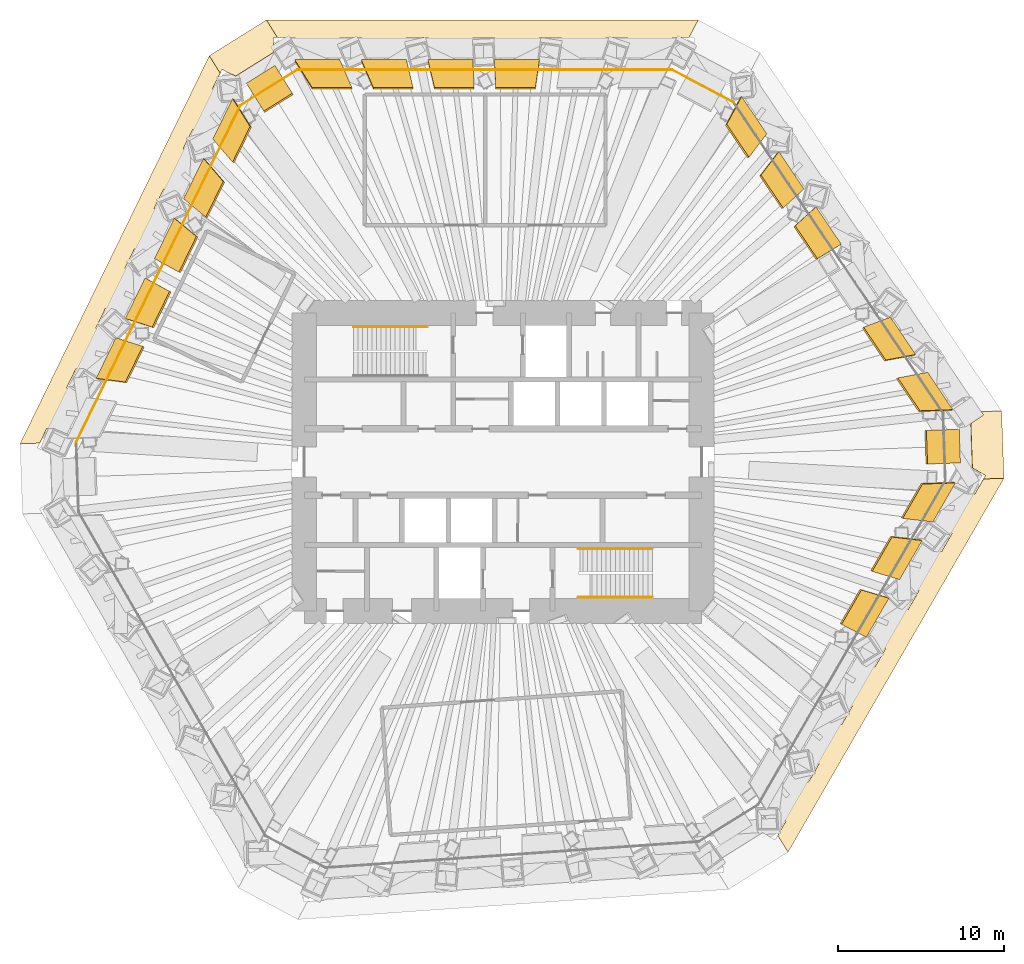
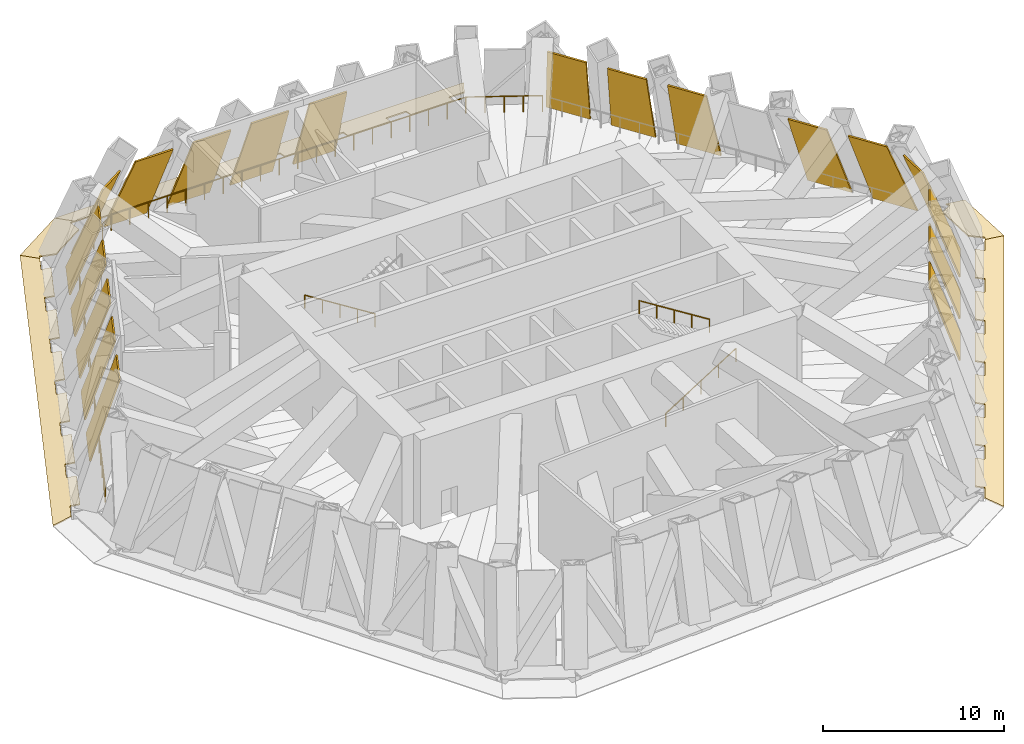
# One storey, part 10 of 12: 19 shading devices, 5 coverings, 5 railings.
"""IFC4 building model written with IfcOpenShell, lengths in metres."""

from ifc_helpers import new_model, si_unit, direction, frame, origin, origin_2d, place, context, subcontext, project, spatial, polyline, circle, outline, extrude, material, layer, layer_set, type_object, element, save


model = new_model("IFC4")

# Units and contexts
model_context = context("Model", 3, precision=1e-05, world=origin(), true_north=direction((0.0, 1.0)))
body_context = subcontext(model_context, "Body", "Model", "MODEL_VIEW")
ifc_project = project(units=[si_unit("LENGTHUNIT", "METRE"), si_unit("AREAUNIT", "SQUARE_METRE"), si_unit("VOLUMEUNIT", "CUBIC_METRE"), si_unit("PLANEANGLEUNIT", "RADIAN"), si_unit("MASSUNIT", "GRAM", prefix="KILO")], contexts=[model_context])

# Site, building, storey
site_placement = place(None, origin())
site = spatial("IfcSite", under=ifc_project, at=site_placement, CompositionType="ELEMENT")
building_placement = place(site_placement, origin())
building = spatial("IfcBuilding", under=site, at=building_placement, Name="Qingtian Harvest Tower", CompositionType="ELEMENT")
storey_placement = place(building_placement, frame((0.0, 0.0, 174.39990234375)))
storey = spatial("IfcBuildingStorey", under=building, at=storey_placement, Name="L37", CompositionType="ELEMENT", Elevation=174.39990234375)

# Coverings
ifc_material_1 = material(Name="Bronze-finished aluminium plate", Category="aluminium")
ifc_layer_1 = layer(ifc_material_1, 0.080078125)
ifc_layer_set_1 = layer_set([ifc_layer_1], Name="Bronze eave band EB1")
covering_type = type_object("IfcCoveringType", Name="Bronze eave band EB1", PredefinedType="CLADDING", material=ifc_layer_set_1)
covering_1_placement = place(storey_placement, frame((-12.57177734375, 25.10009765625, -0.02001953125), z_axis=(0.0, 0.184189733854, 0.982890707018), x_axis=(0.0, 0.982890707018, -0.184189733854)))
element("IfcCovering", 1, at=covering_1_placement, inside=storey, type_object=covering_type, Name="Eave band EB1 L37 1", PredefinedType="CLADDING", context=body_context, shape_type="SweptSolid", body=[
    extrude(outline(polyline([(0.0, 0.0), (0.5593744970438081, 0.0), (0.5593744970438081, 1.05615234375), (1.627702098697061, 1.712158203125), (1.627702098697061, -24.368408203125), (0.5593744970438081, -23.81005859375), (0.5593744970438081, -22.814453125), (0.0, -22.814453125), (0.0, -20.095458984375), (0.5593744970438081, -20.095458984375), (0.5593744970438081, -18.79541015625), (0.0, -18.79541015625), (0.0, -16.076416015625), (0.5593744970438081, -16.076416015625), (0.5593744970438081, -14.7763671875), (0.0, -14.7763671875), (0.0, -12.057373046875), (0.5593744970438081, -12.057373046875), (0.5593744970438081, -10.75732421875), (0.0, -10.75732421875), (0.0, -8.0380859375), (0.5593744970438081, -8.0380859375), (0.5593744970438081, -6.73828125), (0.0, -6.73828125), (0.0, -4.01904296875), (0.5593744970438081, -4.01904296875), (0.5593744970438081, -2.71923828125), (0.0, -2.71923828125), (0.0, 0.0)])), origin(), (0.0, 0.0, -1.0), 0.080078125),
])
covering_2_placement = place(storey_placement, frame((28.261474609375, 2.330322265625, -0.02001953125), z_axis=(0.156849625053, 0.00547878834, 0.987607299487), x_axis=(0.821657910687, 0.554110012926, -0.133567853093)))
element("IfcCovering", 2, at=covering_2_placement, inside=storey, type_object=covering_type, Name="Eave band EB1 L37 4", PredefinedType="CLADDING", context=body_context, shape_type="SweptSolid", body=[
    extrude(outline(polyline([(0.0, 0.0), (0.9252585680396471, 5.204170427930421e-18), (0.9225970145435107, 0.24461442693298963), (1.9894660216830409, -0.41364242815472324), (-0.1479681192771758, -3.8779066179800243), (-1.214837126416706, -3.2196497628923115), (-0.9949806424630768, -3.1123045338881545), (-1.409975738374845, -2.285264294284164), (0.0, 0.0)])), origin(), (0.0, 0.0, -1.0), 0.080078125),
])
covering_3_placement = place(storey_placement, frame((28.023193359375, -1.66259765625, -0.02001953125), z_axis=(0.159502777249, -0.09208767128, 0.982893038356), x_axis=(0.851287866321, -0.491312216678, -0.18417729067)))
element("IfcCovering", 3, at=covering_3_placement, inside=storey, type_object=covering_type, Name="Eave band EB1 L37 5", PredefinedType="CLADDING", context=body_context, shape_type="SweptSolid", body=[
    extrude(outline(polyline([(0.0, 0.0), (0.5595222167561885, 3.930910501617757e-17), (0.5597370827663396, 1.0560622749174726), (1.6280504471319173, 1.7119724218077528), (1.624002500334832, -24.368587372852396), (0.5558307116754796, -23.810059675644755), (0.5560632610747688, -22.814591999373082), (-0.0035789049530698946, -22.814380548761065), (-0.0032701867356124126, -20.09543158455042), (0.556252030020575, -20.09543158455042), (0.5566277519228836, -18.795445509826358), (-0.0028944648333046885, -18.795445509826358), (-0.0027056958874975834, -16.076285095003694), (0.5569364701403402, -16.076496545615708), (0.5571922427709984, -14.776299020279634), (-0.0023299739851907475, -14.776299020279636), (-0.0020212557677323773, -12.057350056068985), (0.5575009609884559, -12.057350056068985), (0.5578766828907628, -10.757363981344925), (-0.0017654831370750301, -10.757152530732911), (-0.0014567649196179921, -8.038203566522261), (0.5581854011082202, -8.038415017134277), (0.5584411737388776, -6.738217491798202), (-0.0010810430173107122, -6.738217491798202), (-0.000684440119764762, -4.018935038934709), (0.5589577259080737, -4.019146489546724), (0.5590056645869924, -2.7190710022514777), (-0.000516552169196105, -2.7190710022514777), (0.0, 0.0)])), origin(), (0.0, 0.0, -1.0), 0.080078125),
])
covering_4_placement = place(storey_placement, frame((-27.0498046875, 1.797119140625, -0.02001953125), z_axis=(-0.165535589656, 0.080737029795, 0.982893432971), x_axis=(-0.883531938188, 0.430640008633, -0.184175180649)))
element("IfcCovering", 4, at=covering_4_placement, inside=storey, type_object=covering_type, Name="Eave band EB1 L37 11", PredefinedType="CLADDING", context=body_context, shape_type="SweptSolid", body=[
    extrude(outline(polyline([(0.0, 0.0), (0.5595497533165212, 3.747273758653025e-18), (0.55990607017175, 0.9955780149466659), (1.6283313312147991, 1.5535994282463865), (1.6215197500586525, -24.527120180300926), (0.5534830824209858, -23.870640761816826), (0.5536901628013793, -22.814570724824677), (-0.005964727235999945, -22.814351265526092), (-0.005090711671438264, -20.095236480345623), (0.5542433356054863, -20.0953434488499), (0.5548377287594246, -18.795459247652985), (-0.004817161277954618, -18.795239788354404), (-0.0041588517529893565, -16.076231971678208), (0.5553909015635325, -16.076231971678208), (0.5557695886778735, -14.77645473898557), (-0.0038853013595048225, -14.77623527968699), (-0.0030112857949431415, -12.057120494506519), (0.5563227614819815, -12.057227463010793), (0.556812017915062, -10.757123802515299), (-0.0027377354014594957, -10.7571238025153), (-0.0020794258764946782, -8.038115985839104), (0.5574703274400268, -8.038115985839104), (0.5577438778335109, -6.738119293847885), (-0.0018058754830105883, -6.738119293847885), (-0.0009318599184489074, -4.019004508667415), (0.5584021873584757, -4.019111477171689), (0.5588914437915562, -2.719007816676196), (-0.0006583095249650395, -2.7190078166761964), (0.0, 0.0)])), origin(), (0.0, 0.0, -1.0), 0.080078125),
])
covering_5_placement = place(storey_placement, frame((-16.148681640625, 23.31005859375, -0.02001953125), z_axis=(-0.0831656087, 0.133099935106, 0.987607153075), x_axis=(-0.890752733033, 0.434421676779, -0.133556637192)))
element("IfcCovering", 5, at=covering_5_placement, inside=storey, type_object=covering_type, Name="Eave band EB1 L37 12", PredefinedType="CLADDING", context=body_context, shape_type="SweptSolid", body=[
    extrude(outline(polyline([(0.0, 0.0), (0.9255722996894495, -3.469446951953614e-18), (0.9228428743469406, 0.24477201006264057), (1.9896267793917832, -0.4137412028081305), (-0.14834395565500288, -3.8776960435734127), (-1.2151278606998455, -3.2191828307026413), (-0.9951374461918973, -3.111896848019039), (-1.4099976699225292, -2.2848378420917284), (0.0, 0.0)])), origin(), (0.0, 0.0, -1.0), 0.080078125),
])

# Shading devices
ifc_material_2 = material(Name="Bronze-finished aluminium lattice", Category="aluminium")
ifc_layer_2 = layer(ifc_material_2, 0.10009765625)
ifc_layer_set_2 = layer_set([ifc_layer_2], Name="Bronze lattice screen LS1")
shading_device_type = type_object("IfcShadingDeviceType", Name="Bronze lattice screen LS1", PredefinedType="USERDEFINED", material=ifc_layer_set_2)
shading_device_1_placement = place(storey_placement, frame((-12.57177734375, 24.300048828125, 0.0), z_axis=(0.0, 0.948683298051, 0.316227766017), x_axis=(1.0, 0.0, 0.0)))
element("IfcShadingDevice", 6, at=shading_device_1_placement, inside=storey, type_object=shading_device_type, Name="Lattice screen LS1 L37 N0", ObjectType="SCREEN", PredefinedType="USERDEFINED", context=body_context, shape_type="SweptSolid", body=[
    extrude(outline(polyline([(0.0, 0.0), (2.71923828125, 0.0), (3.446533203125, -5.32321886397973), (1.052001953125, -5.32321886397973), (0.0, 0.0)])), origin(), (0.0, 0.0, -1.0), 0.10009765625),
])
shading_device_2_placement = place(storey_placement, frame((-8.552734375, 24.300048828125, 0.0), z_axis=(0.0, 0.948683298051, 0.316227766017), x_axis=(1.0, 0.0, 0.0)))
element("IfcShadingDevice", 7, at=shading_device_2_placement, inside=storey, type_object=shading_device_type, Name="Lattice screen LS1 L37 N1", ObjectType="SCREEN", PredefinedType="USERDEFINED", context=body_context, shape_type="SweptSolid", body=[
    extrude(outline(polyline([(0.0, 0.0), (2.71923828125, 0.0), (3.1220703125, -5.32321886397973), (0.7275390625, -5.32321886397973), (0.0, 0.0)])), origin(), (0.0, 0.0, -1.0), 0.10009765625),
])
shading_device_3_placement = place(storey_placement, frame((-4.53369140625, 24.300048828125, 0.0), z_axis=(0.0, 0.948683298051, 0.316227766017), x_axis=(1.0, 0.0, 0.0)))
element("IfcShadingDevice", 8, at=shading_device_3_placement, inside=storey, type_object=shading_device_type, Name="Lattice screen LS1 L37 N2", ObjectType="SCREEN", PredefinedType="USERDEFINED", context=body_context, shape_type="SweptSolid", body=[
    extrude(outline(polyline([(0.0, 0.0), (2.71923828125, 0.0), (2.797607421875, -5.32321886397973), (0.403076171875, -5.32321886397973), (0.0, 0.0)])), origin(), (0.0, 0.0, -1.0), 0.10009765625),
])
shading_device_4_placement = place(storey_placement, frame((-0.514404296875, 24.300048828125, 0.0), z_axis=(0.0, 0.948683298051, 0.316227766017), x_axis=(1.0, 0.0, 0.0)))
element("IfcShadingDevice", 9, at=shading_device_4_placement, inside=storey, type_object=shading_device_type, Name="Lattice screen LS1 L37 N3", ObjectType="SCREEN", PredefinedType="USERDEFINED", context=body_context, shape_type="SweptSolid", body=[
    extrude(outline(polyline([(0.0, 0.0), (2.718994140625, 0.0), (2.472900390625, -5.32321886397973), (0.078369140625, -5.32321886397973), (0.0, 0.0)])), origin(), (0.0, 0.0, -1.0), 0.10009765625),
])
shading_device_5_placement = place(storey_placement, frame((14.41796875, 22.080078125, 0.0), z_axis=(0.786508356346, 0.530483264879, 0.316215292296), x_axis=(0.559175157854, -0.829049541843, 3.07825e-06)))
element("IfcShadingDevice", 10, at=shading_device_5_placement, inside=storey, type_object=shading_device_type, Name="Lattice screen LS1 L37 NE0", ObjectType="SCREEN", PredefinedType="USERDEFINED", context=body_context, shape_type="SweptSolid", body=[
    extrude(outline(polyline([(0.0, 0.0), (2.7192349493382766, 0.0), (3.289875671632588, -5.323184859106002), (0.8951230800570322, -5.323201452697157), (0.0, 0.0)])), origin(), (0.0, 0.0, -1.0), 0.10009765625),
])
shading_device_6_placement = place(storey_placement, frame((16.665283203125, 18.748046875, 0.0), z_axis=(0.786493102994, 0.530503525216, 0.31621924147), x_axis=(0.559199239002, -0.82903329914, -3.974963e-06)))
element("IfcShadingDevice", 11, at=shading_device_6_placement, inside=storey, type_object=shading_device_type, Name="Lattice screen LS1 L37 NE1", ObjectType="SCREEN", PredefinedType="USERDEFINED", context=body_context, shape_type="SweptSolid", body=[
    extrude(outline(polyline([(0.0, 0.0), (2.719032546745289, 1.1102230246251565e-16), (2.965308801169117, -5.323215344642769), (0.5705562097295356, -5.323193918055918), (0.0, 0.0)])), origin(), (0.0, 0.0, -1.0), 0.10009765625),
])
shading_device_7_placement = place(storey_placement, frame((18.912841796875, 15.416015625, 0.0), z_axis=(0.786475579762, 0.530522256724, 0.316231398754), x_axis=(0.559219159133, -0.829019862273, 4.034415e-06)))
element("IfcShadingDevice", 12, at=shading_device_7_placement, inside=storey, type_object=shading_device_type, Name="Lattice screen LS1 L37 NE2", ObjectType="SCREEN", PredefinedType="USERDEFINED", context=body_context, shape_type="SweptSolid", body=[
    extrude(outline(polyline([(0.0, 0.0), (2.719032546738832, 1.1102230246251565e-16), (2.6404875211855563, -5.323214429633785), (0.24593732880710176, -5.323236175925305), (0.0, 0.0)])), origin(), (0.0, 0.0, -1.0), 0.10009765625),
])
shading_device_8_placement = place(storey_placement, frame((23.40771484375, 8.752197265625, 0.0), z_axis=(0.786492682591, 0.530503241646, 0.316220762811), x_axis=(0.559195076801, -0.829036106547, 1.1086938e-05)))
element("IfcShadingDevice", 13, at=shading_device_8_placement, inside=storey, type_object=shading_device_type, Name="Lattice screen LS1 L37 NE4", ObjectType="SCREEN", PredefinedType="USERDEFINED", context=body_context, shape_type="SweptSolid", body=[
    extrude(outline(polyline([(0.0, 0.0), (2.7192349477958, -5.551115123125783e-17), (1.9918097241467894, -5.32318248827878), (-0.40274046593795637, -5.323242251193623), (0.0, 0.0)])), origin(), (0.0, 0.0, -1.0), 0.10009765625),
])
shading_device_9_placement = place(storey_placement, frame((25.655029296875, 5.420166015625, 0.0), z_axis=(0.78647945119, 0.530524868221, 0.316217388918), x_axis=(0.559219159232, -0.829019862206, 4.034257e-06)))
element("IfcShadingDevice", 14, at=shading_device_9_placement, inside=storey, type_object=shading_device_type, Name="Lattice screen LS1 L37 NE5", ObjectType="SCREEN", PredefinedType="USERDEFINED", context=body_context, shape_type="SweptSolid", body=[
    extrude(outline(polyline([(0.0, 0.0), (2.7190325467388297, 5.551115123125783e-17), (1.667242854528832, -5.32319236535592), (-0.7273073378496283, -5.323214110684026), (0.0, 0.0)])), origin(), (0.0, 0.0, -1.0), 0.10009765625),
])
shading_device_10_placement = place(storey_placement, frame((27.561767578125, 1.9775390625, 0.0), z_axis=(0.930127754655, 0.032478874034, 0.365797051332), x_axis=(0.034897454607, -0.999390898329, 0.0)))
element("IfcShadingDevice", 15, at=shading_device_10_placement, inside=storey, type_object=shading_device_type, Name="Lattice screen LS1 L37 NEC", ObjectType="SCREEN", PredefinedType="USERDEFINED", context=body_context, shape_type="SweptSolid", body=[
    extrude(outline(polyline([(0.0, 0.0), (2.0288236505016273, 0.0), (2.0288932785385847, -5.426107123120407), (6.962803695763459e-05, -5.426107123120407), (0.0, 0.0)])), origin(), (0.0, 0.0, -1.0), 0.10009765625),
])
shading_device_11_placement = place(storey_placement, frame((27.330322265625, -1.262451171875, 0.0), z_axis=(0.821581824793, -0.474334423983, 0.316243829022), x_axis=(-0.499994872797, -0.866028363956, -1.154776e-06)))
element("IfcShadingDevice", 16, at=shading_device_11_placement, inside=storey, type_object=shading_device_type, Name="Lattice screen LS1 L37 SE0", ObjectType="SCREEN", PredefinedType="USERDEFINED", context=body_context, shape_type="SweptSolid", body=[
    extrude(outline(polyline([(0.0, 0.0), (2.7192824817677987, -5.551115123125783e-17), (3.446510323439015, -5.3232531043167945), (1.0519742444267586, -5.323246879534377), (0.0, 0.0)])), origin(), (0.0, 0.0, -1.0), 0.10009765625),
])
shading_device_12_placement = place(storey_placement, frame((25.32080078125, -4.7431640625, 0.0), z_axis=(0.821579074912, -0.474358986248, 0.316214129716), x_axis=(-0.500017366429, -0.866015377025, 5.151667e-06)))
element("IfcShadingDevice", 17, at=shading_device_12_placement, inside=storey, type_object=shading_device_type, Name="Lattice screen LS1 L37 SE1", ObjectType="SCREEN", PredefinedType="USERDEFINED", context=body_context, shape_type="SweptSolid", body=[
    extrude(outline(polyline([(0.0, 0.0), (2.719071051036205, -5.551115123125783e-17), (3.1220509225291675, -5.32317640591581), (0.7275148440589956, -5.323204174373886), (0.0, 0.0)])), origin(), (0.0, 0.0, -1.0), 0.10009765625),
])
shading_device_13_placement = place(storey_placement, frame((23.311279296875, -8.223876953125, 0.0), z_axis=(0.821581377642, -0.474334165824, 0.316245377902), x_axis=(-0.499998761079, -0.866026118987, 1.2313904e-05)))
element("IfcShadingDevice", 18, at=shading_device_13_placement, inside=storey, type_object=shading_device_type, Name="Lattice screen LS1 L37 SE2", ObjectType="SCREEN", PredefinedType="USERDEFINED", context=body_context, shape_type="SweptSolid", body=[
    extrude(outline(polyline([(0.0, 0.0), (2.719071049335788, -5.551115123125783e-17), (2.7976380280894495, -5.323215493167245), (0.4028905170721877, -5.3232818709158005), (0.0, 0.0)])), origin(), (0.0, 0.0, -1.0), 0.10009765625),
])
shading_device_14_placement = place(storey_placement, frame((-24.56884765625, 5.05859375, 0.0), z_axis=(-0.852677641473, 0.415876240518, 0.316208463367), x_axis=(0.438367808532, 0.898795674458, -4.22826e-06)))
element("IfcShadingDevice", 19, at=shading_device_14_placement, inside=storey, type_object=shading_device_type, Name="Lattice screen LS1 L37 NW1", ObjectType="SCREEN", PredefinedType="USERDEFINED", context=body_context, shape_type="SweptSolid", body=[
    extrude(outline(polyline([(0.0, 0.0), (2.719007896137924, 0.0), (2.965195584645464, -5.32319597776943), (0.5704777519520834, -5.323173186163156), (0.0, 0.0)])), origin(), (0.0, 0.0, -1.0), 0.10009765625),
])
shading_device_15_placement = place(storey_placement, frame((-22.80712890625, 8.6708984375, 0.0), z_axis=(-0.852662433328, 0.41589091436, 0.316230172728), x_axis=(0.438384738531, 0.898787416975, -1.0507444e-05)))
element("IfcShadingDevice", 20, at=shading_device_15_placement, inside=storey, type_object=shading_device_type, Name="Lattice screen LS1 L37 NW2", ObjectType="SCREEN", PredefinedType="USERDEFINED", context=body_context, shape_type="SweptSolid", body=[
    extrude(outline(polyline([(0.0, 0.0), (2.7190078948800522, 0.0), (2.6406860875548483, -5.323252613599114), (0.24618768513335051, -5.323195977282977), (0.0, 0.0)])), origin(), (0.0, 0.0, -1.0), 0.10009765625),
])
shading_device_16_placement = place(storey_placement, frame((-21.045166015625, 12.283203125, 0.0), z_axis=(-0.852675570411, 0.4158752304, 0.316215376545), x_axis=(0.438367808476, 0.898795674485, -4.228342e-06)))
element("IfcShadingDevice", 21, at=shading_device_16_placement, inside=storey, type_object=shading_device_type, Name="Lattice screen LS1 L37 NW3", ObjectType="SCREEN", PredefinedType="USERDEFINED", context=body_context, shape_type="SweptSolid", body=[
    extrude(outline(polyline([(0.0, 0.0), (2.719007896137925, 0.0), (2.3162890013092134, -5.323206015315872), (-0.07842883138416358, -5.323183223211311), (0.0, 0.0)])), origin(), (0.0, 0.0, -1.0), 0.10009765625),
])
shading_device_17_placement = place(storey_placement, frame((-19.283447265625, 15.8955078125, 0.0), z_axis=(-0.852690897688, 0.41583741271, 0.316223780243), x_axis=(0.438329558918, 0.898814328863, -3.162141e-06)))
element("IfcShadingDevice", 22, at=shading_device_17_placement, inside=storey, type_object=shading_device_type, Name="Lattice screen LS1 L37 NW4", ObjectType="SCREEN", PredefinedType="USERDEFINED", context=body_context, shape_type="SweptSolid", body=[
    extrude(outline(polyline([(0.0, 0.0), (2.7192273322464136, 0.0), (1.991606232379115, -5.323218047516644), (-0.40278514523622433, -5.3232010028841374), (0.0, 0.0)])), origin(), (0.0, 0.0, -1.0), 0.10009765625),
])
shading_device_18_placement = place(storey_placement, frame((-17.521484375, 19.5078125, 0.0), z_axis=(-0.852705769809, 0.41582257782, 0.316203184533), x_axis=(0.438312630608, 0.898822584184, 3.115532e-06)))
element("IfcShadingDevice", 23, at=shading_device_18_placement, inside=storey, type_object=shading_device_type, Name="Lattice screen LS1 L37 NW5", ObjectType="SCREEN", PredefinedType="USERDEFINED", context=body_context, shape_type="SweptSolid", body=[
    extrude(outline(polyline([(0.0, 0.0), (2.719227332250375, 0.0), (1.6672091534162086, -5.3231674143003485), (-0.7274016622949249, -5.323184208303903), (0.0, 0.0)])), origin(), (0.0, 0.0, -1.0), 0.10009765625),
])
shading_device_19_placement = place(storey_placement, frame((-15.493408203125, 22.88037109375, 0.0), z_axis=(-0.493198340147, 0.78927414625, 0.365789173347), x_axis=(0.848042007764, 0.529929007288, -1.73712e-05)))
element("IfcShadingDevice", 24, at=shading_device_19_placement, inside=storey, type_object=shading_device_type, Name="Lattice screen LS1 L37 NWC", ObjectType="SCREEN", PredefinedType="USERDEFINED", context=body_context, shape_type="SweptSolid", body=[
    extrude(outline(polyline([(0.0, 0.0), (2.028798675979432, 0.0), (2.0285899701483583, -5.4261269352221735), (-7.932863202854414e-05, -5.426051203772579), (0.0, 0.0)])), origin(), (0.0, 0.0, -1.0), 0.10009765625),
])

# Railings
ifc_material_3 = material(Name="Stainless steel handrail", Category="steel")
railing_type_1 = type_object("IfcRailingType", Name="Handrail HR1", PredefinedType="HANDRAIL", material=ifc_material_3)
railing_1_placement = place(storey_placement, frame((-4.550048828125, 8.169921875, 0.176513671875)))
element("IfcRailing", 25, at=railing_1_placement, inside=storey, type_object=railing_type_1, Name="Handrail HR1 S1 flight 1", PredefinedType="HANDRAIL", context=body_context, shape_type="SweptSolid", body=[
    extrude(circle(Radius=0.02392578125, at=origin_2d()), frame((0.0, 0.0, 0.8759765625), z_axis=(-0.845997938375, 0.0, 0.533186166611), x_axis=(0.0, -1.0, 0.0)), (0.0, 0.0, 1.0), 5.29541015625),
    extrude(circle(Radius=0.02099609375, at=origin_2d()), origin(), (0.0, 0.0, 1.0), 0.851806640625),
    extrude(circle(Radius=0.02099609375, at=origin_2d()), frame((-1.1201171875, 0.0, 0.705810546875)), (0.0, 0.0, 1.0), 0.851806640625),
    extrude(circle(Radius=0.02099609375, at=origin_2d()), frame((-2.239990234375, 0.0, 1.41162109375)), (0.0, 0.0, 1.0), 0.851806640625),
    extrude(circle(Radius=0.02099609375, at=origin_2d()), frame((-3.35986328125, 0.0, 2.11767578125)), (0.0, 0.0, 1.0), 0.851806640625),
    extrude(circle(Radius=0.02099609375, at=origin_2d()), frame((-4.47998046875, 0.0, 2.823486328125)), (0.0, 0.0, 1.0), 0.851806640625),
])
railing_2_placement = place(storey_placement, frame((4.550048828125, -8.169921875, 0.176513671875)))
element("IfcRailing", 26, at=railing_2_placement, inside=storey, type_object=railing_type_1, Name="Handrail HR1 S2 flight 1", PredefinedType="HANDRAIL", context=body_context, shape_type="SweptSolid", body=[
    extrude(circle(Radius=0.02392578125, at=origin_2d()), frame((0.0, 0.0, 0.8759765625), z_axis=(0.845997938375, 0.0, 0.533186166611), x_axis=(0.0, 1.0, 0.0)), (0.0, 0.0, 1.0), 5.29541015625),
    extrude(circle(Radius=0.02099609375, at=origin_2d()), origin(), (0.0, 0.0, 1.0), 0.851806640625),
    extrude(circle(Radius=0.02099609375, at=origin_2d()), frame((1.1201171875, 0.0, 0.705810546875)), (0.0, 0.0, 1.0), 0.851806640625),
    extrude(circle(Radius=0.02099609375, at=origin_2d()), frame((2.239990234375, 0.0, 1.41162109375)), (0.0, 0.0, 1.0), 0.851806640625),
    extrude(circle(Radius=0.02099609375, at=origin_2d()), frame((3.35986328125, 0.0, 2.11767578125)), (0.0, 0.0, 1.0), 0.851806640625),
    extrude(circle(Radius=0.02099609375, at=origin_2d()), frame((4.47998046875, 0.0, 2.823486328125)), (0.0, 0.0, 1.0), 0.851806640625),
])
railing_3_placement = place(storey_placement, frame((9.030029296875, -5.22998046875, 3.176513671875)))
element("IfcRailing", 27, at=railing_3_placement, inside=storey, type_object=railing_type_1, Name="Handrail HR1 S2 flight 2", PredefinedType="HANDRAIL", context=body_context, shape_type="SweptSolid", body=[
    extrude(circle(Radius=0.02392578125, at=origin_2d()), frame((0.0, 0.0, 0.8759765625), z_axis=(-0.845997938375, 0.0, 0.533186166611), x_axis=(0.0, -1.0, 0.0)), (0.0, 0.0, 1.0), 5.29541015625),
    extrude(circle(Radius=0.02099609375, at=origin_2d()), origin(), (0.0, 0.0, 1.0), 0.851806640625),
    extrude(circle(Radius=0.02099609375, at=origin_2d()), frame((-1.1201171875, 0.0, 0.705810546875)), (0.0, 0.0, 1.0), 0.851806640625),
    extrude(circle(Radius=0.02099609375, at=origin_2d()), frame((-2.239990234375, 0.0, 1.41162109375)), (0.0, 0.0, 1.0), 0.851806640625),
    extrude(circle(Radius=0.02099609375, at=origin_2d()), frame((-3.35986328125, 0.0, 2.11767578125)), (0.0, 0.0, 1.0), 0.851806640625),
    extrude(circle(Radius=0.02099609375, at=origin_2d()), frame((-4.47998046875, 0.0, 2.823486328125)), (0.0, 0.0, 1.0), 0.851806640625),
])
ifc_material_4 = material(Name="Galvanised steel guard", Category="steel")
railing_type_2 = type_object("IfcRailingType", Name="Setback roof guard GR4 1100", PredefinedType="GUARDRAIL", material=ifc_material_4)
railing_4_placement = place(storey_placement, frame((-12.409423828125, 23.699951171875, 0.0)))
element("IfcRailing", 28, at=railing_4_placement, inside=storey, type_object=railing_type_2, Name="Setback roof guard GR4 L37 N", PredefinedType="GUARDRAIL", context=body_context, shape_type="SweptSolid", body=[
    extrude(circle(Radius=0.02392578125, at=origin_2d()), frame((0.0, 0.0, 1.076171875), z_axis=(1.0, 0.0, 0.0), x_axis=(0.0, 1.0, 0.0)), (0.0, 0.0, 1.0), 22.61083984375),
    extrude(circle(Radius=0.02392578125, at=origin_2d()), frame((22.61083984375, 0.0, 1.076171875), z_axis=(0.882948599748, -0.469469669099, 0.0), x_axis=(0.469469669099, 0.882948599748, 0.0)), (0.0, 0.0, 1.0), 4.23828125),
    extrude(circle(Radius=0.02099609375, at=origin_2d()), origin(), (0.0, 0.0, 1.0), 1.052001953125),
    extrude(circle(Radius=0.02099609375, at=origin_2d()), frame((1.18994140625, 0.0, 0.0)), (0.0, 0.0, 1.0), 1.052001953125),
    extrude(circle(Radius=0.02099609375, at=origin_2d()), frame((2.380126953125, 0.0, 0.0)), (0.0, 0.0, 1.0), 1.052001953125),
    extrude(circle(Radius=0.02099609375, at=origin_2d()), frame((3.570068359375, 0.0, 0.0)), (0.0, 0.0, 1.0), 1.052001953125),
    extrude(circle(Radius=0.02099609375, at=origin_2d()), frame((4.76025390625, 0.0, 0.0)), (0.0, 0.0, 1.0), 1.052001953125),
    extrude(circle(Radius=0.02099609375, at=origin_2d()), frame((5.9501953125, 0.0, 0.0)), (0.0, 0.0, 1.0), 1.052001953125),
    extrude(circle(Radius=0.02099609375, at=origin_2d()), frame((7.140380859375, 0.0, 0.0)), (0.0, 0.0, 1.0), 1.052001953125),
    extrude(circle(Radius=0.02099609375, at=origin_2d()), frame((8.330322265625, 0.0, 0.0)), (0.0, 0.0, 1.0), 1.052001953125),
    extrude(circle(Radius=0.02099609375, at=origin_2d()), frame((9.520263671875, 0.0, 0.0)), (0.0, 0.0, 1.0), 1.052001953125),
    extrude(circle(Radius=0.02099609375, at=origin_2d()), frame((10.71044921875, 0.0, 0.0)), (0.0, 0.0, 1.0), 1.052001953125),
    extrude(circle(Radius=0.02099609375, at=origin_2d()), frame((11.900390625, 0.0, 0.0)), (0.0, 0.0, 1.0), 1.052001953125),
    extrude(circle(Radius=0.02099609375, at=origin_2d()), frame((13.090576171875, 0.0, 0.0)), (0.0, 0.0, 1.0), 1.052001953125),
    extrude(circle(Radius=0.02099609375, at=origin_2d()), frame((14.280517578125, 0.0, 0.0)), (0.0, 0.0, 1.0), 1.052001953125),
    extrude(circle(Radius=0.02099609375, at=origin_2d()), frame((15.470458984375, 0.0, 0.0)), (0.0, 0.0, 1.0), 1.052001953125),
    extrude(circle(Radius=0.02099609375, at=origin_2d()), frame((16.66064453125, 0.0, 0.0)), (0.0, 0.0, 1.0), 1.052001953125),
    extrude(circle(Radius=0.02099609375, at=origin_2d()), frame((17.8505859375, 0.0, 0.0)), (0.0, 0.0, 1.0), 1.052001953125),
    extrude(circle(Radius=0.02099609375, at=origin_2d()), frame((19.040771484375, 0.0, 0.0)), (0.0, 0.0, 1.0), 1.052001953125),
    extrude(circle(Radius=0.02099609375, at=origin_2d()), frame((20.230712890625, 0.0, 0.0)), (0.0, 0.0, 1.0), 1.052001953125),
    extrude(circle(Radius=0.02099609375, at=origin_2d()), frame((21.4208984375, 0.0, 0.0)), (0.0, 0.0, 1.0), 1.052001953125),
    extrude(circle(Radius=0.02099609375, at=origin_2d()), frame((22.61083984375, 0.0, 0.0)), (0.0, 0.0, 1.0), 1.052001953125),
    extrude(circle(Radius=0.02099609375, at=origin_2d()), frame((23.54638671875, -0.49755859375, 0.0)), (0.0, 0.0, 1.0), 1.052001953125),
    extrude(circle(Radius=0.02099609375, at=origin_2d()), frame((24.48193359375, -0.994873046875, 0.0)), (0.0, 0.0, 1.0), 1.052001953125),
    extrude(circle(Radius=0.02099609375, at=origin_2d()), frame((25.41748046875, -1.4921875, 0.0)), (0.0, 0.0, 1.0), 1.052001953125),
    extrude(circle(Radius=0.02099609375, at=origin_2d()), frame((26.35302734375, -1.98974609375, 0.0)), (0.0, 0.0, 1.0), 1.052001953125),
])
railing_5_placement = place(storey_placement, frame((-25.7734375, 1.22021484375, 0.0)))
element("IfcRailing", 29, at=railing_5_placement, inside=storey, type_object=railing_type_2, Name="Setback roof guard GR4 L37 NW", PredefinedType="GUARDRAIL", context=body_context, shape_type="SweptSolid", body=[
    extrude(circle(Radius=0.02392578125, at=origin_2d()), frame((0.0, 0.0, 1.076171875), z_axis=(0.438363853586, 0.898797603395, 0.0), x_axis=(-0.898797603395, 0.438363853586, 0.0)), (0.0, 0.0, 1.0), 22.611083984375),
    extrude(circle(Radius=0.02392578125, at=origin_2d()), frame((9.911865234375, 20.32275390625, 1.076171875), z_axis=(0.848065686315, 0.529891113055, 0.0), x_axis=(-0.529891113055, 0.848065686315, 0.0)), (0.0, 0.0, 1.0), 4.070556640625),
    extrude(circle(Radius=0.02099609375, at=origin_2d()), origin(), (0.0, 0.0, 1.0), 1.052001953125),
    extrude(circle(Radius=0.02099609375, at=origin_2d()), frame((0.521728515625, 1.069580078125, 0.0)), (0.0, 0.0, 1.0), 1.052001953125),
    extrude(circle(Radius=0.02099609375, at=origin_2d()), frame((1.04345703125, 2.13916015625, 0.0)), (0.0, 0.0, 1.0), 1.052001953125),
    extrude(circle(Radius=0.02099609375, at=origin_2d()), frame((1.56494140625, 3.208740234375, 0.0)), (0.0, 0.0, 1.0), 1.052001953125),
    extrude(circle(Radius=0.02099609375, at=origin_2d()), frame((2.086669921875, 4.278564453125, 0.0)), (0.0, 0.0, 1.0), 1.052001953125),
    extrude(circle(Radius=0.02099609375, at=origin_2d()), frame((2.6083984375, 5.34814453125, 0.0)), (0.0, 0.0, 1.0), 1.052001953125),
    extrude(circle(Radius=0.02099609375, at=origin_2d()), frame((3.130126953125, 6.417724609375, 0.0)), (0.0, 0.0, 1.0), 1.052001953125),
    extrude(circle(Radius=0.02099609375, at=origin_2d()), frame((3.65185546875, 7.4873046875, 0.0)), (0.0, 0.0, 1.0), 1.052001953125),
    extrude(circle(Radius=0.02099609375, at=origin_2d()), frame((4.17333984375, 8.556884765625, 0.0)), (0.0, 0.0, 1.0), 1.052001953125),
    extrude(circle(Radius=0.02099609375, at=origin_2d()), frame((4.695068359375, 9.62646484375, 0.0)), (0.0, 0.0, 1.0), 1.052001953125),
    extrude(circle(Radius=0.02099609375, at=origin_2d()), frame((5.216796875, 10.6962890625, 0.0)), (0.0, 0.0, 1.0), 1.052001953125),
    extrude(circle(Radius=0.02099609375, at=origin_2d()), frame((5.738525390625, 11.765869140625, 0.0)), (0.0, 0.0, 1.0), 1.052001953125),
    extrude(circle(Radius=0.02099609375, at=origin_2d()), frame((6.260009765625, 12.83544921875, 0.0)), (0.0, 0.0, 1.0), 1.052001953125),
    extrude(circle(Radius=0.02099609375, at=origin_2d()), frame((6.78173828125, 13.905029296875, 0.0)), (0.0, 0.0, 1.0), 1.052001953125),
    extrude(circle(Radius=0.02099609375, at=origin_2d()), frame((7.303466796875, 14.974609375, 0.0)), (0.0, 0.0, 1.0), 1.052001953125),
    extrude(circle(Radius=0.02099609375, at=origin_2d()), frame((7.8251953125, 16.044189453125, 0.0)), (0.0, 0.0, 1.0), 1.052001953125),
    extrude(circle(Radius=0.02099609375, at=origin_2d()), frame((8.346923828125, 17.114013671875, 0.0)), (0.0, 0.0, 1.0), 1.052001953125),
    extrude(circle(Radius=0.02099609375, at=origin_2d()), frame((8.868408203125, 18.18359375, 0.0)), (0.0, 0.0, 1.0), 1.052001953125),
    extrude(circle(Radius=0.02099609375, at=origin_2d()), frame((9.39013671875, 19.253173828125, 0.0)), (0.0, 0.0, 1.0), 1.052001953125),
    extrude(circle(Radius=0.02099609375, at=origin_2d()), frame((9.911865234375, 20.32275390625, 0.0)), (0.0, 0.0, 1.0), 1.052001953125),
    extrude(circle(Radius=0.02099609375, at=origin_2d()), frame((10.77490234375, 20.862060546875, 0.0)), (0.0, 0.0, 1.0), 1.052001953125),
    extrude(circle(Radius=0.02099609375, at=origin_2d()), frame((11.637939453125, 21.4013671875, 0.0)), (0.0, 0.0, 1.0), 1.052001953125),
    extrude(circle(Radius=0.02099609375, at=origin_2d()), frame((12.5009765625, 21.9404296875, 0.0)), (0.0, 0.0, 1.0), 1.052001953125),
    extrude(circle(Radius=0.02099609375, at=origin_2d()), frame((13.364013671875, 22.479736328125, 0.0)), (0.0, 0.0, 1.0), 1.052001953125),
])

save(model, "model.ifc")
